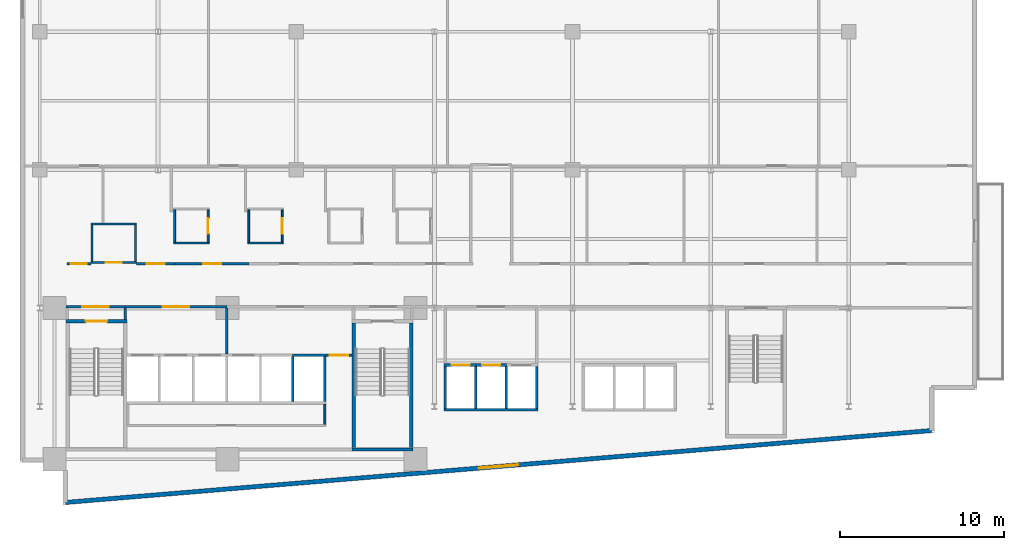
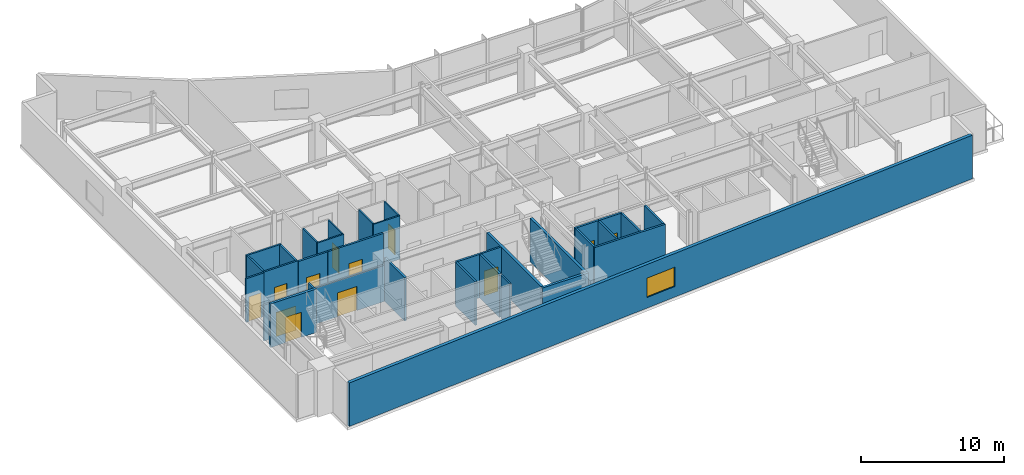
# One storey, part 10 of 18: 34 walls, 12 doors, 1 window, 13 openings.
"""IFC4 building model written with IfcOpenShell, lengths in metres."""

from ifc_helpers import new_model, si_unit, direction, frame, frame_2d, origin, place, context, subcontext, project, spatial, rectangle, extrude, material, layer, layer_set, type_object, element, fill, save


model = new_model("IFC4")

# Units and contexts
model_context = context("Model", 3, precision=1e-05, world=origin(), true_north=direction((0.0, 1.0)))
body_context = subcontext(model_context, "Body", "Model", "MODEL_VIEW")
ifc_project = project(units=[si_unit("LENGTHUNIT", "METRE"), si_unit("AREAUNIT", "SQUARE_METRE"), si_unit("VOLUMEUNIT", "CUBIC_METRE"), si_unit("PLANEANGLEUNIT", "RADIAN"), si_unit("MASSUNIT", "GRAM", prefix="KILO")], contexts=[model_context])

# Site, building, storey
site_placement = place(None, origin())
site = spatial("IfcSite", under=ifc_project, at=site_placement, CompositionType="ELEMENT")
building_placement = place(site_placement, origin())
building = spatial("IfcBuilding", under=site, at=building_placement, Name="Varnakote Quay Hospital", CompositionType="ELEMENT")
storey_placement = place(building_placement, frame((0.0, 0.0, 69.89990234375)))
storey = spatial("IfcBuildingStorey", under=building, at=storey_placement, Name="L17", CompositionType="ELEMENT", Elevation=69.89990234375)

# Wall, opening, door
ifc_material_1 = material(Name="Fire-rated acoustic gypsum stud wall", Category="gypsum")
ifc_layer_1 = layer(ifc_material_1, 0.159912109375)
ifc_layer_set_1 = layer_set([ifc_layer_1], Name="Fire-rated acoustic gypsum stud wall")
wall_type_1 = type_object("IfcWallType", Name="WL-COMP-160", PredefinedType="PARTITIONING", material=ifc_layer_set_1)
wall_1_placement = place(storey_placement, frame((2.800048828125, 12.080078125, 0.0), z_axis=(0.0, 0.0, 1.0), x_axis=(1.0, 0.0, 0.0)))
wall_1 = element("IfcWall", 1, at=wall_1_placement, inside=storey, type_object=wall_type_1, Name="L17 West Stair Vestibule Smoke Wall", PredefinedType="PARTITIONING", context=body_context, shape_type="SweptSolid", body=[
    extrude(rectangle(XDim=3.599853515625, YDim=0.159912109375, at=frame_2d((1.7998046875, 0.0))), origin(), (0.0, 0.0, 1.0), 3.072998046875),
])
opening_1_placement = place(wall_1_placement, frame((1.0, 0.0, 0.0)))
opening_1 = element("IfcOpeningElement", 2, at=opening_1_placement, cuts=wall_1, Name="Opening D-ST1L-L17", PredefinedType="OPENING", context=body_context, shape_type="SweptSolid", body=[
    extrude(rectangle(XDim=1.60009765625, YDim=2.050048828125, at=frame_2d((0.800048828125, 1.02490234375))), frame((0.0, 0.08984375, 0.0), z_axis=(0.0, -1.0, 0.0), x_axis=(1.0, 0.0, 0.0)), (0.0, 0.0, 1.0), 0.179931640625),
])
ifc_material_2 = material(Name="Fire-rated double smoke lobby door")
door_type_1 = type_object("IfcDoorType", Name="DR-LOBBY-FD60S-1600x2150", OperationType="NOTDEFINED", PredefinedType="DOOR", material=ifc_material_2)
door_1_placement = place(opening_1_placement, origin())
door_1 = element("IfcDoor", 3, at=door_1_placement, inside=storey, type_object=door_type_1, Name="L17 West Stair Vestibule Smoke Door", OperationType="DOUBLE_DOOR_SINGLE_SWING", OverallHeight=2.050048828125, OverallWidth=1.60009765625, PredefinedType="DOOR", context=body_context, shape_type="SweptSolid", body=[
    extrude(rectangle(XDim=1.60009765625, YDim=2.050048828125, at=frame_2d((0.800048828125, 1.02490234375))), frame((0.0, 0.02490234375, 0.0), z_axis=(0.0, -1.0, 0.0), x_axis=(1.0, 0.0, 0.0)), (0.0, 0.0, 1.0), 0.050048828125),
])
fill(opening_1, door_1)

# Wall
wall_2_placement = place(storey_placement, frame((6.39990234375, 11.300048828125, 0.0), z_axis=(0.0, 0.0, 1.0), x_axis=(0.0, 1.0, 0.0)))
element("IfcWall", 4, at=wall_2_placement, inside=storey, type_object=wall_type_1, Name="L17 Firefighting Lobby West Wall", PredefinedType="PARTITIONING", context=body_context, shape_type="SweptSolid", body=[
    extrude(rectangle(XDim=0.699951171875, YDim=0.159912109375, at=frame_2d((0.35009765625, 0.0))), origin(), (0.0, 0.0, 1.0), 3.710205078125),
])

# Wall, opening, door
wall_3_placement = place(storey_placement, frame((6.39990234375, 12.080078125, 0.0), z_axis=(0.0, 0.0, 1.0), x_axis=(1.0, 0.0, 0.0)))
wall_3 = element("IfcWall", 5, at=wall_3_placement, inside=storey, type_object=wall_type_1, Name="L17 Firefighting Lift Lobby Compartment Wall", PredefinedType="PARTITIONING", context=body_context, shape_type="SweptSolid", body=[
    extrude(rectangle(XDim=6.18017578125, YDim=0.159912109375, at=frame_2d((3.090087890625, 0.0))), origin(), (0.0, 0.0, 1.0), 3.072998046875),
])
opening_2_placement = place(wall_3_placement, frame((2.2900390625, 0.0, 0.0)))
opening_2 = element("IfcOpeningElement", 6, at=opening_2_placement, cuts=wall_3, Name="Opening D-FFL-L17", PredefinedType="OPENING", context=body_context, shape_type="SweptSolid", body=[
    extrude(rectangle(XDim=1.60009765625, YDim=2.050048828125, at=frame_2d((0.800048828125, 1.02490234375))), frame((0.0, 0.08984375, 0.0), z_axis=(0.0, -1.0, 0.0), x_axis=(1.0, 0.0, 0.0)), (0.0, 0.0, 1.0), 0.179931640625),
])
door_2_placement = place(opening_2_placement, origin())
door_2 = element("IfcDoor", 7, at=door_2_placement, inside=storey, type_object=door_type_1, Name="L17 Firefighting Smoke Vestibule Door", OperationType="DOUBLE_DOOR_SINGLE_SWING", OverallHeight=2.050048828125, OverallWidth=1.60009765625, PredefinedType="DOOR", context=body_context, shape_type="SweptSolid", body=[
    extrude(rectangle(XDim=1.60009765625, YDim=2.050048828125, at=frame_2d((0.800048828125, 1.02490234375))), frame((0.0, 0.02490234375, 0.0), z_axis=(0.0, -1.0, 0.0), x_axis=(1.0, 0.0, 0.0)), (0.0, 0.0, 1.0), 0.050048828125),
])
fill(opening_2, door_2)

# Walls
wall_4_placement = place(storey_placement, frame((12.580078125, 9.2099609375, 0.0), z_axis=(0.0, 0.0, 1.0), x_axis=(0.0, 1.0, 0.0)))
element("IfcWall", 8, at=wall_4_placement, inside=storey, type_object=wall_type_1, Name="L17 Firefighting to Service Lobby Wall", PredefinedType="PARTITIONING", context=body_context, shape_type="SweptSolid", body=[
    extrude(rectangle(XDim=2.7900390625, YDim=0.159912109375, at=frame_2d((1.39501953125, 0.0))), origin(), (0.0, 0.0, 1.0), 3.710205078125),
])
ifc_material_3 = material(Name="Moisture-resistant bathroom partition", Category="gypsum")
ifc_layer_2 = layer(ifc_material_3, 0.114990234375)
ifc_layer_set_2 = layer_set([ifc_layer_2], Name="Moisture-resistant bathroom partition")
wall_type_2 = type_object("IfcWallType", Name="WL-ENS-115", PredefinedType="PARTITIONING", material=ifc_layer_set_2)
wall_5_placement = place(storey_placement, frame((9.344970703125, 15.952392578125, 0.0), z_axis=(0.0, 0.0, 1.0), x_axis=(1.0, 0.0, 0.0)))
element("IfcWall", 9, at=wall_5_placement, inside=storey, type_object=wall_type_2, Name="L17 Inpatient En-Suite Bathroom 01 S Wall", PredefinedType="PARTITIONING", context=body_context, shape_type="SweptSolid", body=[
    extrude(rectangle(XDim=2.150146484375, YDim=0.114990234375, at=frame_2d((1.0751953125, 0.0))), origin(), (0.0, 0.0, 1.0), 3.710205078125),
])
wall_6_placement = place(storey_placement, frame((9.402587890625, 16.010009765625, 0.0), z_axis=(0.0, 0.0, 1.0), x_axis=(0.0, 1.0, 0.0)))
element("IfcWall", 10, at=wall_6_placement, inside=storey, type_object=wall_type_2, Name="L17 Inpatient En-Suite Bathroom 01 W Wall", PredefinedType="PARTITIONING", context=body_context, shape_type="SweptSolid", body=[
    extrude(rectangle(XDim=1.949951171875, YDim=0.114990234375, at=frame_2d((0.97509765625, 0.0))), origin(), (0.0, 0.0, 1.0), 3.710205078125),
])

# Wall, opening, door
wall_7_placement = place(storey_placement, frame((11.4375, 16.010009765625, 0.0), z_axis=(0.0, 0.0, 1.0), x_axis=(0.0, 1.0, 0.0)))
wall_7 = element("IfcWall", 11, at=wall_7_placement, inside=storey, type_object=wall_type_2, Name="L17 Inpatient En-Suite Bathroom 01 E Wall", PredefinedType="PARTITIONING", context=body_context, shape_type="SweptSolid", body=[
    extrude(rectangle(XDim=1.949951171875, YDim=0.114990234375, at=frame_2d((0.97509765625, 0.0))), origin(), (0.0, 0.0, 1.0), 3.710205078125),
])
opening_3_placement = place(wall_7_placement, frame((0.514892578125, 0.0, 0.0)))
opening_3 = element("IfcOpeningElement", 12, at=opening_3_placement, cuts=wall_7, Name="Opening D-L17-ENS01", PredefinedType="OPENING", context=body_context, shape_type="SweptSolid", body=[
    extrude(rectangle(XDim=0.919921875, YDim=2.10009765625, at=frame_2d((0.4599609375, 1.050048828125))), frame((0.0, 0.0673828125, 0.0), z_axis=(0.0, -1.0, 0.0), x_axis=(1.0, 0.0, 0.0)), (0.0, 0.0, 1.0), 0.135009765625),
])
ifc_material_4 = material(Name="Moisture-sealed en-suite bathroom door")
door_type_2 = type_object("IfcDoorType", Name="DR-ENS-920x2100", OperationType="NOTDEFINED", PredefinedType="DOOR", material=ifc_material_4)
door_3_placement = place(opening_3_placement, origin())
door_3 = element("IfcDoor", 13, at=door_3_placement, inside=storey, type_object=door_type_2, Name="L17 Inpatient En-Suite Bathroom 01 Door", OperationType="SINGLE_SWING_LEFT", OverallHeight=2.10009765625, OverallWidth=0.919921875, PredefinedType="DOOR", context=body_context, shape_type="SweptSolid", body=[
    extrude(rectangle(XDim=0.919921875, YDim=2.10009765625, at=frame_2d((0.4599609375, 1.050048828125))), frame((0.0, 0.02490234375, 0.0), z_axis=(0.0, -1.0, 0.0), x_axis=(1.0, 0.0, 0.0)), (0.0, 0.0, 1.0), 0.050048828125),
])
fill(opening_3, door_3)

# Walls
wall_8_placement = place(storey_placement, frame((13.85498046875, 15.952392578125, 0.0), z_axis=(0.0, 0.0, 1.0), x_axis=(1.0, 0.0, 0.0)))
element("IfcWall", 14, at=wall_8_placement, inside=storey, type_object=wall_type_2, Name="L17 Inpatient En-Suite Bathroom 02 S Wall", PredefinedType="PARTITIONING", context=body_context, shape_type="SweptSolid", body=[
    extrude(rectangle(XDim=2.14990234375, YDim=0.114990234375, at=frame_2d((1.074951171875, 0.0))), origin(), (0.0, 0.0, 1.0), 3.710205078125),
])
wall_9_placement = place(storey_placement, frame((13.91259765625, 16.010009765625, 0.0), z_axis=(0.0, 0.0, 1.0), x_axis=(0.0, 1.0, 0.0)))
element("IfcWall", 15, at=wall_9_placement, inside=storey, type_object=wall_type_2, Name="L17 Inpatient En-Suite Bathroom 02 W Wall", PredefinedType="PARTITIONING", context=body_context, shape_type="SweptSolid", body=[
    extrude(rectangle(XDim=1.949951171875, YDim=0.114990234375, at=frame_2d((0.97509765625, 0.0))), origin(), (0.0, 0.0, 1.0), 3.710205078125),
])

# Wall, opening, door
wall_10_placement = place(storey_placement, frame((15.947509765625, 16.010009765625, 0.0), z_axis=(0.0, 0.0, 1.0), x_axis=(0.0, 1.0, 0.0)))
wall_10 = element("IfcWall", 16, at=wall_10_placement, inside=storey, type_object=wall_type_2, Name="L17 Inpatient En-Suite Bathroom 02 E Wall", PredefinedType="PARTITIONING", context=body_context, shape_type="SweptSolid", body=[
    extrude(rectangle(XDim=1.949951171875, YDim=0.114990234375, at=frame_2d((0.97509765625, 0.0))), origin(), (0.0, 0.0, 1.0), 3.710205078125),
])
opening_4_placement = place(wall_10_placement, frame((0.514892578125, 0.0, 0.0)))
opening_4 = element("IfcOpeningElement", 17, at=opening_4_placement, cuts=wall_10, Name="Opening D-L17-ENS02", PredefinedType="OPENING", context=body_context, shape_type="SweptSolid", body=[
    extrude(rectangle(XDim=0.919921875, YDim=2.10009765625, at=frame_2d((0.4599609375, 1.050048828125))), frame((0.0, 0.0673828125, 0.0), z_axis=(0.0, -1.0, 0.0), x_axis=(1.0, 0.0, 0.0)), (0.0, 0.0, 1.0), 0.135009765625),
])
door_4_placement = place(opening_4_placement, origin())
door_4 = element("IfcDoor", 18, at=door_4_placement, inside=storey, type_object=door_type_2, Name="L17 Inpatient En-Suite Bathroom 02 Door", OperationType="SINGLE_SWING_RIGHT", OverallHeight=2.10009765625, OverallWidth=0.919921875, PredefinedType="DOOR", context=body_context, shape_type="SweptSolid", body=[
    extrude(rectangle(XDim=0.919921875, YDim=2.10009765625, at=frame_2d((0.4599609375, 1.050048828125))), frame((0.0, 0.02490234375, 0.0), z_axis=(0.0, -1.0, 0.0), x_axis=(1.0, 0.0, 0.0)), (0.0, 0.0, 1.0), 0.050048828125),
])
fill(opening_4, door_4)

# Wall, opening, window
ifc_material_5 = material(Name="Precast concrete N50 (f'c 50 MPa)", Category="concrete")
ifc_layer_3 = layer(ifc_material_5, 0.260009765625)
ifc_layer_set_3 = layer_set([ifc_layer_3], Name="Precast concrete N50 (f'c 50 MPa)")
wall_type_3 = type_object("IfcWallType", Name="WL-EXT-BRICK-260", PredefinedType="STANDARD", material=ifc_layer_set_3)
wall_11_placement = place(storey_placement, frame((2.760009765625, 0.173828125, 0.0), z_axis=(0.0, 0.0, 1.0), x_axis=(0.996571478456, 0.082736257641, 0.0)))
wall_11 = element("IfcWall", 19, at=wall_11_placement, inside=storey, type_object=wall_type_3, Name="L17 Brick-Faced Precast Exterior Wall", PredefinedType="STANDARD", context=body_context, shape_type="SweptSolid", body=[
    extrude(rectangle(XDim=52.861083984375, YDim=0.260009765625, at=frame_2d((26.4306640625, 0.0))), origin(), (0.0, 0.0, 1.0), 3.710205078125),
])
opening_5_placement = place(wall_11_placement, frame((25.230712890625, 0.0, 0.89990234375)))
opening_5 = element("IfcOpeningElement", 20, at=opening_5_placement, cuts=wall_11, Name="Opening WN-0082", PredefinedType="OPENING", context=body_context, shape_type="SweptSolid", body=[
    extrude(rectangle(XDim=2.39990234375, YDim=1.64990234375, at=frame_2d((1.199951171875, 0.824951171875))), frame((0.0, 0.139892578125, 0.0), z_axis=(0.0, -1.0, 0.0), x_axis=(1.0, 0.0, 0.0)), (0.0, 0.0, 1.0), 0.280029296875),
])
ifc_material_6 = material(Name="Double-glazed low-E solar glass", Category="glass")
window_type = type_object("IfcWindowType", Name="WIN-CLIN-2400x1650", PartitioningType="SINGLE_PANEL", PredefinedType="WINDOW", material=ifc_material_6)
window_placement = place(opening_5_placement, origin())
window = element("IfcWindow", 21, at=window_placement, inside=storey, type_object=window_type, Name="L17 Solar-Control Clinical Window", OverallHeight=1.64990234375, OverallWidth=2.39990234375, PartitioningType="SINGLE_PANEL", PredefinedType="WINDOW", context=body_context, shape_type="SweptSolid", body=[
    extrude(rectangle(XDim=2.39990234375, YDim=1.64990234375, at=frame_2d((1.199951171875, 0.824951171875))), frame((0.0, 0.030029296875, 0.0), z_axis=(0.0, -1.0, 0.0), x_axis=(1.0, 0.0, 0.0)), (0.0, 0.0, 1.0), 0.06005859375),
])
fill(opening_5, window)

# Walls
ifc_material_7 = material(Name="Concrete N50 (f'c 50 MPa)", Category="concrete")
ifc_layer_4 = layer(ifc_material_7, 0.14990234375)
ifc_layer_set_4 = layer_set([ifc_layer_4], Name="Concrete N50 (f'c 50 MPa)")
wall_type_4 = type_object("IfcWallType", Name="WL-SHAFT-N50-150", PredefinedType="SHEAR", material=ifc_layer_set_4)
wall_12_placement = place(storey_placement, frame((16.574951171875, 6.300048828125, 0.0), z_axis=(0.0, 0.0, 1.0), x_axis=(0.0, 1.0, 0.0)))
element("IfcWall", 22, at=wall_12_placement, inside=storey, type_object=wall_type_4, Name="L17 LF-PH1 Hoistway Divider Wall", PredefinedType="SHEAR", context=body_context, shape_type="SweptSolid", body=[
    extrude(rectangle(XDim=2.75, YDim=0.14990234375, at=frame_2d((1.375, 0.0))), origin(), (0.0, 0.0, 1.0), 3.710205078125),
])
for number, where, z_axis, x_axis, name in (
    (23, (27.72509765625, 5.89990234375, 0.0), (0.0, 0.0, 1.0), (0.0, 1.0, 0.0), "L17 LF-PL1 Hoistway Divider Wall"),
    (24, (29.574951171875, 5.89990234375, 0.0), (0.0, 0.0, 1.0), (0.0, 1.0, 0.0), "L17 LF-PL2 Hoistway Divider Wall"),
):
    element("IfcWall", number, at=place(storey_placement, frame(where, z_axis=z_axis, x_axis=x_axis)), inside=storey, type_object=wall_type_4, Name=name, PredefinedType="SHEAR", context=body_context, shape_type="SweptSolid", body=[
        extrude(rectangle(XDim=2.550048828125, YDim=0.14990234375, at=frame_2d((1.27490234375, 0.0))), origin(), (0.0, 0.0, 1.0), 3.710205078125),
    ])
ifc_material_8 = material(Name="Concrete N50 (f'c 50 MPa)", Category="concrete")
ifc_layer_5 = layer(ifc_material_8, 0.159912109375)
ifc_layer_set_5 = layer_set([ifc_layer_5], Name="Concrete N50 (f'c 50 MPa)")
wall_type_5 = type_object("IfcWallType", Name="WL-SHAFT-N50-160", PredefinedType="SHEAR", material=ifc_layer_set_5)
wall_13_placement = place(storey_placement, frame((18.530029296875, 6.300048828125, 0.0), z_axis=(0.0, 0.0, 1.0), x_axis=(0.0, 1.0, 0.0)))
element("IfcWall", 25, at=wall_13_placement, inside=storey, type_object=wall_type_5, Name="L17 REAR Lift Bank East Shear Wall", PredefinedType="SHEAR", context=body_context, shape_type="SweptSolid", body=[
    extrude(rectangle(XDim=2.75, YDim=0.159912109375, at=frame_2d((1.375, 0.0))), origin(), (0.0, 0.0, 1.0), 3.710205078125),
])
wall_14_placement = place(storey_placement, frame((16.574951171875, 9.1298828125, 0.0), z_axis=(0.0, 0.0, 1.0), x_axis=(1.0, 0.0, 0.0)))
element("IfcWall", 26, at=wall_14_placement, inside=storey, type_object=wall_type_5, Name="L17 LF-PH2 Hoistway Front Wall", PredefinedType="SHEAR", context=body_context, shape_type="SweptSolid", body=[
    extrude(rectangle(XDim=2.03515625, YDim=0.159912109375, at=frame_2d((1.017578125, 0.0))), origin(), (0.0, 0.0, 1.0), 3.710205078125),
])
wall_15_placement = place(storey_placement, frame((25.7900390625, 5.820068359375, 0.0), z_axis=(0.0, 0.0, 1.0), x_axis=(1.0, 0.0, 0.0)))
element("IfcWall", 27, at=wall_15_placement, inside=storey, type_object=wall_type_5, Name="L17 LOW Lift Bank Back Shear Wall", PredefinedType="SHEAR", context=body_context, shape_type="SweptSolid", body=[
    extrude(rectangle(XDim=5.719970703125, YDim=0.159912109375, at=frame_2d((2.85986328125, 0.0))), origin(), (0.0, 0.0, 1.0), 3.710205078125),
])
for number, where, z_axis, x_axis, name in (
    (28, (25.8701171875, 5.89990234375, 0.0), (0.0, 0.0, 1.0), (0.0, 1.0, 0.0), "L17 LOW Lift Bank West Shear Wall"),
    (29, (31.429931640625, 5.89990234375, 0.0), (0.0, 0.0, 1.0), (0.0, 1.0, 0.0), "L17 LOW Lift Bank East Shear Wall"),
):
    element("IfcWall", number, at=place(storey_placement, frame(where, z_axis=z_axis, x_axis=x_axis)), inside=storey, type_object=wall_type_5, Name=name, PredefinedType="SHEAR", context=body_context, shape_type="SweptSolid", body=[
        extrude(rectangle(XDim=2.550048828125, YDim=0.159912109375, at=frame_2d((1.27490234375, 0.0))), origin(), (0.0, 0.0, 1.0), 3.710205078125),
    ])

# Wall, opening, door
wall_16_placement = place(storey_placement, frame((25.7900390625, 8.530029296875, 0.0), z_axis=(0.0, 0.0, 1.0), x_axis=(1.0, 0.0, 0.0)))
wall_16 = element("IfcWall", 30, at=wall_16_placement, inside=storey, type_object=wall_type_5, Name="L17 LF-PL1 Hoistway Front Wall", PredefinedType="SHEAR", context=body_context, shape_type="SweptSolid", body=[
    extrude(rectangle(XDim=1.93505859375, YDim=0.159912109375, at=frame_2d((0.967529296875, 0.0))), origin(), (0.0, 0.0, 1.0), 3.710205078125),
])
opening_6_placement = place(wall_16_placement, frame((0.4599609375, 0.0, 0.0)))
opening_6 = element("IfcOpeningElement", 31, at=opening_6_placement, cuts=wall_16, Name="Opening LD-PL1-L17", PredefinedType="OPENING", context=body_context, shape_type="SweptSolid", body=[
    extrude(rectangle(XDim=1.10009765625, YDim=2.14990234375, at=frame_2d((0.550048828125, 1.074951171875))), frame((0.0, 0.08984375, 0.0), z_axis=(0.0, -1.0, 0.0), x_axis=(1.0, 0.0, 0.0)), (0.0, 0.0, 1.0), 0.179931640625),
])
ifc_material_9 = material(Name="Brushed bronze lift landing sliding door")
door_type_3 = type_object("IfcDoorType", Name="DR-LIFT-LD-1100x2150", OperationType="NOTDEFINED", PredefinedType="DOOR", material=ifc_material_9)
door_5_placement = place(opening_6_placement, origin())
door_5 = element("IfcDoor", 32, at=door_5_placement, inside=storey, type_object=door_type_3, Name="L17 LF-PL1 Lift Landing Sliding Door", OperationType="SLIDING_TO_LEFT", OverallHeight=2.14990234375, OverallWidth=1.10009765625, PredefinedType="DOOR", context=body_context, shape_type="SweptSolid", body=[
    extrude(rectangle(XDim=1.10009765625, YDim=2.14990234375, at=frame_2d((0.550048828125, 1.074951171875))), frame((0.0, 0.02490234375, 0.0), z_axis=(0.0, -1.0, 0.0), x_axis=(1.0, 0.0, 0.0)), (0.0, 0.0, 1.0), 0.050048828125),
])
fill(opening_6, door_5)

wall_17_placement = place(storey_placement, frame((27.72509765625, 8.530029296875, 0.0), z_axis=(0.0, 0.0, 1.0), x_axis=(1.0, 0.0, 0.0)))
wall_17 = element("IfcWall", 33, at=wall_17_placement, inside=storey, type_object=wall_type_5, Name="L17 LF-PL2 Hoistway Front Wall", PredefinedType="SHEAR", context=body_context, shape_type="SweptSolid", body=[
    extrude(rectangle(XDim=1.849853515625, YDim=0.159912109375, at=frame_2d((0.9248046875, 0.0))), origin(), (0.0, 0.0, 1.0), 3.710205078125),
])
opening_7_placement = place(wall_17_placement, frame((0.375, 0.0, 0.0)))
opening_7 = element("IfcOpeningElement", 34, at=opening_7_placement, cuts=wall_17, Name="Opening LD-PL2-L17", PredefinedType="OPENING", context=body_context, shape_type="SweptSolid", body=[
    extrude(rectangle(XDim=1.10009765625, YDim=2.14990234375, at=frame_2d((0.550048828125, 1.074951171875))), frame((0.0, 0.08984375, 0.0), z_axis=(0.0, -1.0, 0.0), x_axis=(1.0, 0.0, 0.0)), (0.0, 0.0, 1.0), 0.179931640625),
])
door_6_placement = place(opening_7_placement, origin())
door_6 = element("IfcDoor", 35, at=door_6_placement, inside=storey, type_object=door_type_3, Name="L17 LF-PL2 Lift Landing Sliding Door", OperationType="SLIDING_TO_LEFT", OverallHeight=2.14990234375, OverallWidth=1.10009765625, PredefinedType="DOOR", context=body_context, shape_type="SweptSolid", body=[
    extrude(rectangle(XDim=1.10009765625, YDim=2.14990234375, at=frame_2d((0.550048828125, 1.074951171875))), frame((0.0, 0.02490234375, 0.0), z_axis=(0.0, -1.0, 0.0), x_axis=(1.0, 0.0, 0.0)), (0.0, 0.0, 1.0), 0.050048828125),
])
fill(opening_7, door_6)

ifc_material_10 = material(Name="Concrete N50 (f'c 50 MPa)", Category="concrete")
ifc_layer_6 = layer(ifc_material_10, 0.199951171875)
ifc_layer_set_6 = layer_set([ifc_layer_6], Name="Concrete N50 (f'c 50 MPa)")
wall_type_6 = type_object("IfcWallType", Name="WL-SHAFT-N50-200", PredefinedType="SHEAR", material=ifc_layer_set_6)
wall_18_placement = place(storey_placement, frame((2.800048828125, 11.199951171875, 0.0), z_axis=(0.0, 0.0, 1.0), x_axis=(1.0, 0.0, 0.0)))
wall_18 = element("IfcWall", 36, at=wall_18_placement, inside=storey, type_object=wall_type_6, Name="L17 Stair ST1 Exit Wall", PredefinedType="SHEAR", context=body_context, shape_type="SweptSolid", body=[
    extrude(rectangle(XDim=3.699951171875, YDim=0.199951171875, at=frame_2d((1.85009765625, 0.0))), origin(), (0.0, 0.0, 1.0), 3.710205078125),
])
opening_8_placement = place(wall_18_placement, frame((1.199951171875, 0.0, 0.0)))
opening_8 = element("IfcOpeningElement", 37, at=opening_8_placement, cuts=wall_18, Name="Opening D-ST1-L17", PredefinedType="OPENING", context=body_context, shape_type="SweptSolid", body=[
    extrude(rectangle(XDim=1.300048828125, YDim=2.14990234375, at=frame_2d((0.64990234375, 1.074951171875))), frame((0.0, 0.10986328125, 0.0), z_axis=(0.0, -1.0, 0.0), x_axis=(1.0, 0.0, 0.0)), (0.0, 0.0, 1.0), 0.219970703125),
])
ifc_material_11 = material(Name="Fire-rated ceramic-glazed timber exit door", Category="wood")
door_type_4 = type_object("IfcDoorType", Name="DR-STAIR-FD60S-1300x2150", OperationType="NOTDEFINED", PredefinedType="DOOR", material=ifc_material_11)
door_7_placement = place(opening_8_placement, origin())
door_7 = element("IfcDoor", 38, at=door_7_placement, inside=storey, type_object=door_type_4, Name="L17 Stair ST1 Fire Exit Door", OperationType="SINGLE_SWING_LEFT", OverallHeight=2.14990234375, OverallWidth=1.300048828125, PredefinedType="DOOR", context=body_context, shape_type="SweptSolid", body=[
    extrude(rectangle(XDim=1.300048828125, YDim=2.14990234375, at=frame_2d((0.64990234375, 1.074951171875))), frame((0.0, 0.02490234375, 0.0), z_axis=(0.0, -1.0, 0.0), x_axis=(1.0, 0.0, 0.0)), (0.0, 0.0, 1.0), 0.050048828125),
])
fill(opening_8, door_7)

# Walls
wall_19_placement = place(storey_placement, frame((20.199951171875, 3.39990234375, 0.0), z_axis=(0.0, 0.0, 1.0), x_axis=(1.0, 0.0, 0.0)))
element("IfcWall", 39, at=wall_19_placement, inside=storey, type_object=wall_type_6, Name="L17 Stair ST2 South Shaft Wall", PredefinedType="SHEAR", context=body_context, shape_type="SweptSolid", body=[
    extrude(rectangle(XDim=3.699951171875, YDim=0.199951171875, at=frame_2d((1.85009765625, 0.0))), origin(), (0.0, 0.0, 1.0), 3.710205078125),
])
for number, where, z_axis, x_axis, name in (
    (40, (20.300048828125, 3.5, 0.0), (0.0, 0.0, 1.0), (0.0, 1.0, 0.0), "L17 Stair ST2 West Shaft Wall"),
    (41, (23.800048828125, 3.5, 0.0), (0.0, 0.0, 1.0), (0.0, 1.0, 0.0), "L17 Stair ST2 East Shaft Wall"),
):
    element("IfcWall", number, at=place(storey_placement, frame(where, z_axis=z_axis, x_axis=x_axis)), inside=storey, type_object=wall_type_6, Name=name, PredefinedType="SHEAR", context=body_context, shape_type="SweptSolid", body=[
        extrude(rectangle(XDim=7.60009765625, YDim=0.199951171875, at=frame_2d((3.800048828125, 0.0))), origin(), (0.0, 0.0, 1.0), 3.710205078125),
    ])
ifc_material_12 = material(Name="Smoke-proof clinical partition", Category="gypsum")
ifc_layer_7 = layer(ifc_material_12, 0.1201171875)
ifc_layer_set_7 = layer_set([ifc_layer_7], Name="Smoke-proof clinical partition")
wall_type_7 = type_object("IfcWallType", Name="WL-SMOKE-120", PredefinedType="PARTITIONING", material=ifc_layer_set_7)
wall_20_placement = place(storey_placement, frame((18.5400390625, 4.919921875, 0.0), z_axis=(0.0, 0.0, 1.0), x_axis=(0.0, 1.0, 0.0)))
element("IfcWall", 42, at=wall_20_placement, inside=storey, type_object=wall_type_7, Name="L17 Core Service Strip East Wall", PredefinedType="PARTITIONING", context=body_context, shape_type="SweptSolid", body=[
    extrude(rectangle(XDim=1.219970703125, YDim=0.1201171875, at=frame_2d((0.60986328125, 0.0))), origin(), (0.0, 0.0, 1.0), 3.710205078125),
])

# Wall, opening, door
ifc_material_13 = material(Name="Fire-rated clinical gypsum partition", Category="gypsum")
ifc_layer_8 = layer(ifc_material_13, 0.139892578125)
ifc_layer_set_8 = layer_set([ifc_layer_8], Name="Fire-rated clinical gypsum partition")
wall_type_8 = type_object("IfcWallType", Name="WL-WARD-140", PredefinedType="PARTITIONING", material=ifc_layer_set_8)
wall_21_placement = place(storey_placement, frame((18.610107421875, 9.1298828125, 0.0), z_axis=(0.0, 0.0, 1.0), x_axis=(1.0, 0.0, 0.0)))
wall_21 = element("IfcWall", 43, at=wall_21_placement, inside=storey, type_object=wall_type_8, Name="L17 Core Service Corridor North Door Wall", PredefinedType="PARTITIONING", context=body_context, shape_type="SweptSolid", body=[
    extrude(rectangle(XDim=1.58984375, YDim=0.139892578125, at=frame_2d((0.794921875, 0.0))), origin(), (0.0, 0.0, 1.0), 3.710205078125),
])
opening_9_placement = place(wall_21_placement, frame((0.239990234375, 0.0, 0.0)))
opening_9 = element("IfcOpeningElement", 44, at=opening_9_placement, cuts=wall_21, Name="Opening D-CSRV-L17", PredefinedType="OPENING", context=body_context, shape_type="SweptSolid", body=[
    extrude(rectangle(XDim=1.10009765625, YDim=2.10009765625, at=frame_2d((0.550048828125, 1.050048828125))), frame((0.0, 0.079833984375, 0.0), z_axis=(0.0, -1.0, 0.0), x_axis=(1.0, 0.0, 0.0)), (0.0, 0.0, 1.0), 0.159912109375),
])
ifc_material_14 = material(Name="Acoustic timber clinical consult door", Category="wood")
door_type_5 = type_object("IfcDoorType", Name="DR-CLIN-FD30S-1100x2100", OperationType="NOTDEFINED", PredefinedType="DOOR", material=ifc_material_14)
door_8_placement = place(opening_9_placement, origin())
door_8 = element("IfcDoor", 45, at=door_8_placement, inside=storey, type_object=door_type_5, Name="L17 Core Service Corridor Door", OperationType="SINGLE_SWING_LEFT", OverallHeight=2.10009765625, OverallWidth=1.10009765625, PredefinedType="DOOR", context=body_context, shape_type="SweptSolid", body=[
    extrude(rectangle(XDim=1.10009765625, YDim=2.10009765625, at=frame_2d((0.550048828125, 1.050048828125))), frame((0.0, 0.02490234375, 0.0), z_axis=(0.0, -1.0, 0.0), x_axis=(1.0, 0.0, 0.0)), (0.0, 0.0, 1.0), 0.050048828125),
])
fill(opening_9, door_8)

wall_22_placement = place(storey_placement, frame((4.31005859375, 14.77001953125, 0.0), z_axis=(0.0, 0.0, 1.0), x_axis=(1.0, 0.0, 0.0)))
wall_22 = element("IfcWall", 46, at=wall_22_placement, inside=storey, type_object=wall_type_8, Name="L17 Floor Unisex Accessible WC S Wall", PredefinedType="PARTITIONING", context=body_context, shape_type="SweptSolid", body=[
    extrude(rectangle(XDim=2.780029296875, YDim=0.139892578125, at=frame_2d((1.39013671875, 0.0))), origin(), (0.0, 0.0, 1.0), 3.710205078125),
])
opening_10_placement = place(wall_22_placement, frame((0.89990234375, 0.0, 0.0)))
opening_10 = element("IfcOpeningElement", 47, at=opening_10_placement, cuts=wall_22, Name="Opening D-L17-EW01", PredefinedType="OPENING", context=body_context, shape_type="SweptSolid", body=[
    extrude(rectangle(XDim=0.97998046875, YDim=2.10009765625, at=frame_2d((0.489990234375, 1.050048828125))), frame((0.0, 0.079833984375, 0.0), z_axis=(0.0, -1.0, 0.0), x_axis=(1.0, 0.0, 0.0)), (0.0, 0.0, 1.0), 0.159912109375),
])
ifc_material_15 = material(Name="Accessible sanitary compartment door")
door_type_6 = type_object("IfcDoorType", Name="DR-WC-980x2100", OperationType="NOTDEFINED", PredefinedType="DOOR", material=ifc_material_15)
door_9_placement = place(opening_10_placement, origin())
door_9 = element("IfcDoor", 48, at=door_9_placement, inside=storey, type_object=door_type_6, Name="L17 Floor Unisex Accessible WC Door", OperationType="SINGLE_SWING_RIGHT", OverallHeight=2.10009765625, OverallWidth=0.97998046875, PredefinedType="DOOR", context=body_context, shape_type="SweptSolid", body=[
    extrude(rectangle(XDim=0.97998046875, YDim=2.10009765625, at=frame_2d((0.489990234375, 1.050048828125))), frame((0.0, 0.02490234375, 0.0), z_axis=(0.0, -1.0, 0.0), x_axis=(1.0, 0.0, 0.0)), (0.0, 0.0, 1.0), 0.050048828125),
])
fill(opening_10, door_9)

# Walls
wall_23_placement = place(storey_placement, frame((4.31005859375, 17.110107421875, 0.0), z_axis=(0.0, 0.0, 1.0), x_axis=(1.0, 0.0, 0.0)))
element("IfcWall", 49, at=wall_23_placement, inside=storey, type_object=wall_type_8, Name="L17 Floor Unisex Accessible WC N Wall", PredefinedType="PARTITIONING", context=body_context, shape_type="SweptSolid", body=[
    extrude(rectangle(XDim=2.780029296875, YDim=0.139892578125, at=frame_2d((1.39013671875, 0.0))), origin(), (0.0, 0.0, 1.0), 3.710205078125),
])
for number, where, z_axis, x_axis, name in (
    (50, (4.3798828125, 14.840087890625, 0.0), (0.0, 0.0, 1.0), (0.0, 1.0, 0.0), "L17 Floor Unisex Accessible WC W Wall"),
    (51, (7.02001953125, 14.840087890625, 0.0), (0.0, 0.0, 1.0), (0.0, 1.0, 0.0), "L17 Floor Unisex Accessible WC E Wall"),
):
    element("IfcWall", number, at=place(storey_placement, frame(where, z_axis=z_axis, x_axis=x_axis)), inside=storey, type_object=wall_type_8, Name=name, PredefinedType="PARTITIONING", context=body_context, shape_type="SweptSolid", body=[
        extrude(rectangle(XDim=2.199951171875, YDim=0.139892578125, at=frame_2d((1.10009765625, 0.0))), origin(), (0.0, 0.0, 1.0), 3.710205078125),
    ])

# Wall, opening, door
ifc_material_16 = material(Name="Fire-rated clinical gypsum partition", Category="gypsum")
ifc_layer_9 = layer(ifc_material_16, 0.14990234375)
ifc_layer_set_9 = layer_set([ifc_layer_9], Name="Fire-rated clinical gypsum partition")
wall_type_9 = type_object("IfcWallType", Name="WL-WARD-150", PredefinedType="PARTITIONING", material=ifc_layer_set_9)
wall_24_placement = place(storey_placement, frame((4.30810546875, 14.679931640625, 0.0), z_axis=(0.0, 0.0, 1.0), x_axis=(-1.0, 0.0, 0.0)))
wall_24 = element("IfcWall", 52, at=wall_24_placement, inside=storey, type_object=wall_type_9, Name="L17 Clinical Interior Partition", PredefinedType="PARTITIONING", context=body_context, shape_type="SweptSolid", body=[
    extrude(rectangle(XDim=1.4580078125, YDim=0.14990234375, at=frame_2d((0.72900390625, 0.0))), origin(), (0.0, 0.0, 1.0), 3.710205078125),
])
opening_11_placement = place(wall_24_placement, frame((0.239013671875, 0.0, 0.0)))
opening_11 = element("IfcOpeningElement", 53, at=opening_11_placement, cuts=wall_24, Name="Opening D-L17-MD01", PredefinedType="OPENING", context=body_context, shape_type="SweptSolid", body=[
    extrude(rectangle(XDim=0.97998046875, YDim=2.10009765625, at=frame_2d((0.489990234375, 1.050048828125))), frame((0.0, 0.0849609375, 0.0), z_axis=(0.0, -1.0, 0.0), x_axis=(1.0, 0.0, 0.0)), (0.0, 0.0, 1.0), 0.169921875),
])
door_10_placement = place(opening_11_placement, origin())
door_10 = element("IfcDoor", 54, at=door_10_placement, inside=storey, type_object=door_type_6, Name="L17 Clinical Simulation Teaching Room Door", OperationType="SINGLE_SWING_RIGHT", OverallHeight=2.10009765625, OverallWidth=0.97998046875, PredefinedType="DOOR", context=body_context, shape_type="SweptSolid", body=[
    extrude(rectangle(XDim=0.97998046875, YDim=2.10009765625, at=frame_2d((0.489990234375, 1.050048828125))), frame((0.0, 0.02490234375, 0.0), z_axis=(0.0, -1.0, 0.0), x_axis=(1.0, 0.0, 0.0)), (0.0, 0.0, 1.0), 0.050048828125),
])
fill(opening_11, door_10)

wall_25_placement = place(storey_placement, frame((9.426025390625, 14.679931640625, 0.0), z_axis=(0.0, 0.0, 1.0), x_axis=(-1.0, 0.0, 0.0)))
wall_25 = element("IfcWall", 55, at=wall_25_placement, inside=storey, type_object=wall_type_9, Name="L17 Clinical Interior Partition", PredefinedType="PARTITIONING", context=body_context, shape_type="SweptSolid", body=[
    extrude(rectangle(XDim=2.333984375, YDim=0.14990234375, at=frame_2d((1.1669921875, 0.0))), origin(), (0.0, 0.0, 1.0), 3.710205078125),
])
opening_12_placement = place(wall_25_placement, frame((0.616943359375, 0.0, 0.0)))
opening_12 = element("IfcOpeningElement", 56, at=opening_12_placement, cuts=wall_25, Name="Opening D-L17-MD02", PredefinedType="OPENING", context=body_context, shape_type="SweptSolid", body=[
    extrude(rectangle(XDim=1.10009765625, YDim=2.10009765625, at=frame_2d((0.550048828125, 1.050048828125))), frame((0.0, 0.0849609375, 0.0), z_axis=(0.0, -1.0, 0.0), x_axis=(1.0, 0.0, 0.0)), (0.0, 0.0, 1.0), 0.169921875),
])
door_11_placement = place(opening_12_placement, origin())
door_11 = element("IfcDoor", 57, at=door_11_placement, inside=storey, type_object=door_type_5, Name="L17 Allied Health Teaching Laboratory Door", OperationType="SINGLE_SWING_LEFT", OverallHeight=2.10009765625, OverallWidth=1.10009765625, PredefinedType="DOOR", context=body_context, shape_type="SweptSolid", body=[
    extrude(rectangle(XDim=1.10009765625, YDim=2.10009765625, at=frame_2d((0.550048828125, 1.050048828125))), frame((0.0, 0.02490234375, 0.0), z_axis=(0.0, -1.0, 0.0), x_axis=(1.0, 0.0, 0.0)), (0.0, 0.0, 1.0), 0.050048828125),
])
fill(opening_12, door_11)

wall_26_placement = place(storey_placement, frame((13.93603515625, 14.679931640625, 0.0), z_axis=(0.0, 0.0, 1.0), x_axis=(-1.0, 0.0, 0.0)))
wall_26 = element("IfcWall", 58, at=wall_26_placement, inside=storey, type_object=wall_type_9, Name="L17 Clinical Interior Partition", PredefinedType="PARTITIONING", context=body_context, shape_type="SweptSolid", body=[
    extrude(rectangle(XDim=4.508056640625, YDim=0.14990234375, at=frame_2d((2.25390625, 0.0))), origin(), (0.0, 0.0, 1.0), 3.710205078125),
])
opening_13_placement = place(wall_26_placement, frame((1.7041015625, 0.0, 0.0)))
opening_13 = element("IfcOpeningElement", 59, at=opening_13_placement, cuts=wall_26, Name="Opening D-L17-BR01", PredefinedType="OPENING", context=body_context, shape_type="SweptSolid", body=[
    extrude(rectangle(XDim=1.10009765625, YDim=2.10009765625, at=frame_2d((0.550048828125, 1.050048828125))), frame((0.0, 0.0849609375, 0.0), z_axis=(0.0, -1.0, 0.0), x_axis=(1.0, 0.0, 0.0)), (0.0, 0.0, 1.0), 0.169921875),
])
door_12_placement = place(opening_13_placement, origin())
door_12 = element("IfcDoor", 60, at=door_12_placement, inside=storey, type_object=door_type_5, Name="L17 Inpatient Clinical Treatment Room 01 Door", OperationType="SINGLE_SWING_RIGHT", OverallHeight=2.10009765625, OverallWidth=1.10009765625, PredefinedType="DOOR", context=body_context, shape_type="SweptSolid", body=[
    extrude(rectangle(XDim=1.10009765625, YDim=2.10009765625, at=frame_2d((0.550048828125, 1.050048828125))), frame((0.0, 0.02490234375, 0.0), z_axis=(0.0, -1.0, 0.0), x_axis=(1.0, 0.0, 0.0)), (0.0, 0.0, 1.0), 0.050048828125),
])
fill(opening_13, door_12)

save(model, "model.ifc")
